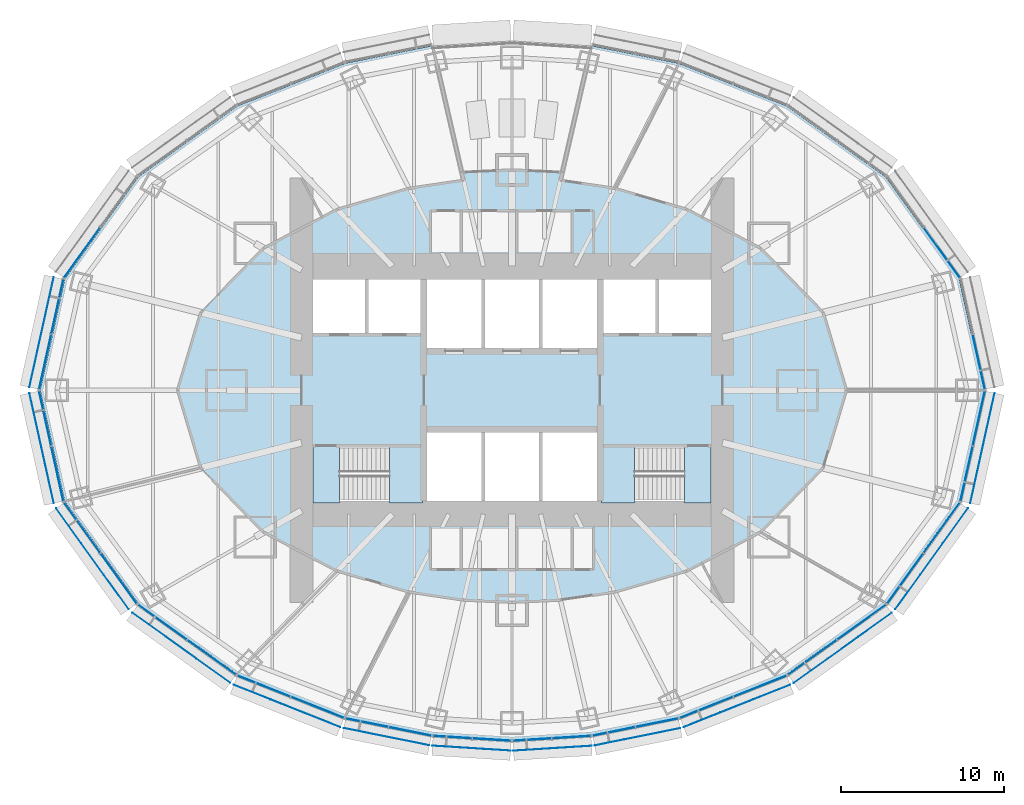
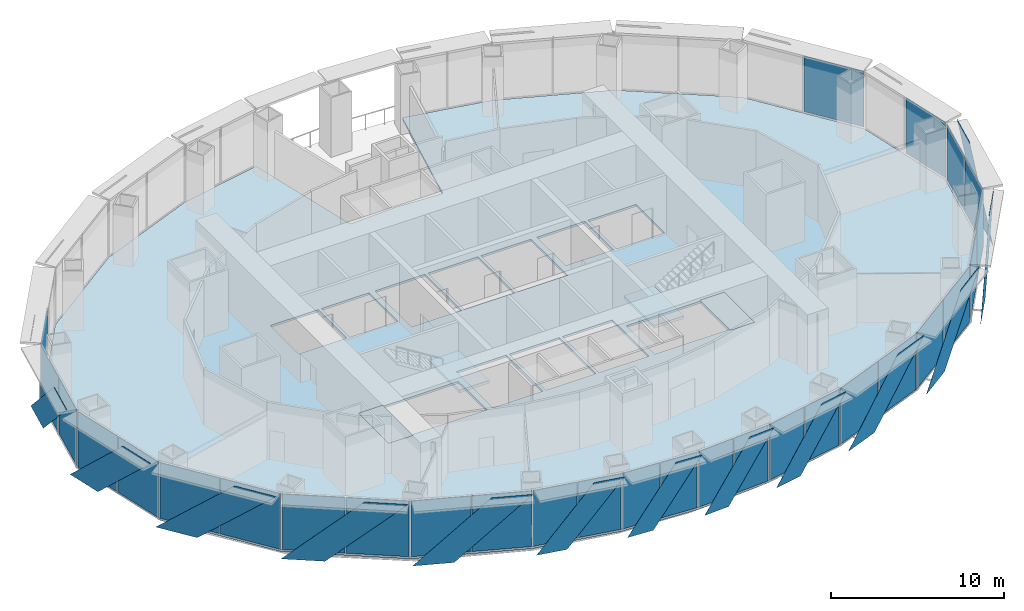
# One storey, part 9 of 17: 42 plates, 5 slabs, 18 elements without a shape of their own.
"""IFC4 building model written with IfcOpenShell, lengths in metres."""

import ifcopenshell
import ifcopenshell.guid

model = None  # the IFC model being written
_history = None  # IfcOwnerHistory: only IFC2X3 demands one
_inside = {}  # id of a spatial element -> (the spatial element, [elements in it])
_under = {}  # id of a project, library or spatial element -> (it, [spatial elements below it])
_declared = {}  # id of a project -> (the project, [libraries it declares])
_typed = {}  # id of a type object -> (the type object, [elements of that type])
_made_of = {}  # id of a material, layer set ... -> (it, [elements and type objects made of it])


def new_model(schema):
    """Start an empty IFC model of exactly this schema.

    Asked for "IFC4X3", IfcOpenShell would pick the latest addendum, in which some entities
    have other attributes; the version numbers below select the first issue.
    IFC2X3 requires an IfcOwnerHistory on every rooted entity: one is made here for all.
    """
    global model, _history
    if schema == "IFC4X3":
        model = ifcopenshell.file(schema_version=(4, 3, 0, 0))
    else:
        model = ifcopenshell.file(schema=schema)
    _inside.clear()
    _under.clear()
    _declared.clear()
    _typed.clear()
    _made_of.clear()
    _history = None
    if model.schema == "IFC2X3":
        org = make("IfcOrganization", Name="unknown")
        user = make(
            "IfcPersonAndOrganization",
            ThePerson=make("IfcPerson", FamilyName="unknown"),
            TheOrganization=org,
        )
        app = make(
            "IfcApplication",
            ApplicationDeveloper=org,
            Version="unknown",
            ApplicationFullName="unknown",
            ApplicationIdentifier="unknown",
        )
        _history = make(
            "IfcOwnerHistory",
            OwningUser=user,
            OwningApplication=app,
            ChangeAction="ADDED",
            CreationDate=0,
        )
    return model


def make(cls, **values):
    """One entity of the class cls with the attributes given. An attribute that is None is left unset."""
    return model.create_entity(
        cls, **{name: value for name, value in values.items() if value is not None}
    )


def rooted(cls, **values):
    """An entity with a GlobalId (a new one), such as an element, a storey or a relation."""
    return make(cls, GlobalId=ifcopenshell.guid.new(), OwnerHistory=_history, **values)


def si_unit(unit_type, name, prefix=None):
    """IfcSIUnit, for example si_unit("LENGTHUNIT", "METRE", prefix="MILLI")."""
    return make("IfcSIUnit", UnitType=unit_type, Prefix=prefix, Name=name)


def assignment(units):
    """IfcUnitAssignment: the units of a project."""
    return None if units is None else make("IfcUnitAssignment", Units=units)


def point(xyz):
    """IfcCartesianPoint."""
    return None if xyz is None else make("IfcCartesianPoint", Coordinates=xyz)


def direction(xyz):
    """IfcDirection."""
    return None if xyz is None else make("IfcDirection", DirectionRatios=xyz)


def frame(location, z_axis=None, x_axis=None):
    """IfcAxis2Placement3D, a coordinate frame: its origin and axes. An axis left out is left unset."""
    return make(
        "IfcAxis2Placement3D",
        Location=point(location),
        Axis=direction(z_axis),
        RefDirection=direction(x_axis),
    )


def frame_2d(location, x_axis=None):
    """IfcAxis2Placement2D, a coordinate frame in the plane: its origin and x axis."""
    return make(
        "IfcAxis2Placement2D", Location=point(location), RefDirection=direction(x_axis)
    )


def origin():
    """The frame at (0, 0, 0) with its axes left unset."""
    return frame((0.0, 0.0, 0.0))


def origin_2d():
    """The frame at (0, 0) in the plane with its x axis left unset."""
    return frame_2d((0.0, 0.0))


def place(relative_to, where):
    """IfcLocalPlacement: puts the frame where relative to a parent placement (None: the world)."""
    return make(
        "IfcLocalPlacement", PlacementRelTo=relative_to, RelativePlacement=where
    )


def context(
    kind, dimensions, precision=None, world=None, true_north=None, identifier=None
):
    """IfcGeometricRepresentationContext, for example the 3D "Model" context."""
    return make(
        "IfcGeometricRepresentationContext",
        ContextIdentifier=identifier,
        ContextType=kind,
        CoordinateSpaceDimension=dimensions,
        Precision=precision,
        WorldCoordinateSystem=world,
        TrueNorth=true_north,
    )


def subcontext(parent, identifier, kind, view, scale=None):
    """IfcGeometricRepresentationSubContext, for example "Body" below "Model"."""
    return make(
        "IfcGeometricRepresentationSubContext",
        ContextIdentifier=identifier,
        ContextType=kind,
        ParentContext=parent,
        TargetScale=scale,
        TargetView=view,
    )


def project(units=None, contexts=None):
    """IfcProject with its units and contexts."""
    return rooted(
        "IfcProject",
        Name="project",
        RepresentationContexts=contexts,
        UnitsInContext=assignment(units),
    )


def spatial(cls, under=None, at=None, **own):
    """A site, building, storey or space (cls), placed at a placement, below another one or the project."""
    s = rooted(cls, ObjectPlacement=at, **own)
    if under is not None:
        _under.setdefault(under.id(), (under, []))[1].append(s)
    return s


def polyline(points):
    """IfcPolyline through the points."""
    return make("IfcPolyline", Points=[point(p) for p in points])


def profile(cls, at=None, kind="AREA", **sizes):
    """A parametric profile (cls). Its sizes go by their IFC names, for example OverallWidth=200.0."""
    return make(cls, ProfileType=kind, Position=at, **sizes)


def rectangle(**sizes):
    """IfcRectangleProfileDef."""
    return profile("IfcRectangleProfileDef", **sizes)


def outline(outer, holes=None, kind="AREA"):
    """IfcArbitraryClosedProfileDef: a profile drawn as a closed curve; with holes, ...WithVoids."""
    if holes is None:
        return make("IfcArbitraryClosedProfileDef", ProfileType=kind, OuterCurve=outer)
    return make(
        "IfcArbitraryProfileDefWithVoids",
        ProfileType=kind,
        OuterCurve=outer,
        InnerCurves=holes,
    )


def extrude(swept, where, along, depth):
    """IfcExtrudedAreaSolid: the profile swept, set in the frame where, extruded along a direction by depth."""
    return make(
        "IfcExtrudedAreaSolid",
        SweptArea=swept,
        Position=where,
        ExtrudedDirection=direction(along),
        Depth=depth,
    )


def shape(context_of_items, identifier, shape_type, items):
    """IfcShapeRepresentation: the items that make up one representation, for example the "Body"."""
    return make(
        "IfcShapeRepresentation",
        ContextOfItems=context_of_items,
        RepresentationIdentifier=identifier,
        RepresentationType=shape_type,
        Items=items,
    )


def material(Name=None, Category=None):
    """IfcMaterial."""
    return make("IfcMaterial", Name=Name, Category=Category)


def layer(
    of_material, thickness, ventilated=None, Name=None, Category=None, Priority=None
):
    """IfcMaterialLayer: one layer of a wall or slab, of a material (None: an air gap)."""
    return make(
        "IfcMaterialLayer",
        Material=of_material,
        LayerThickness=thickness,
        IsVentilated=ventilated,
        Name=Name,
        Category=Category,
        Priority=Priority,
    )


def layer_set(layers, Name=None):
    """IfcMaterialLayerSet."""
    return make("IfcMaterialLayerSet", MaterialLayers=layers, LayerSetName=Name)


def made_of(thing, what):
    """Note that an element or type object is made of a material, layer set ...; save() writes the relation."""
    if what is not None:
        _made_of.setdefault(what.id(), (what, []))[1].append(thing)
    return thing


def type_object(cls, material=None, **own):
    """A type object (cls), such as IfcWallType, which elements share."""
    return made_of(rooted(cls, **own), material)


def element(
    cls,
    number,
    at=None,
    inside=None,
    cuts=None,
    type_object=None,
    material=None,
    context=None,
    identifier="Body",
    shape_type=None,
    held_by="IfcProductDefinitionShape",
    body=None,
    shapes=None,
    **own,
):
    """One element of the class cls, such as IfcWall. Its Tag is "e" and its number.

    at: its placement. inside: the storey or other place that contains it. cuts: it is an
    opening in that element (IfcRelVoidsElement). A single representation is given by context,
    identifier, shape_type and body (its items); several are given by shapes. held_by: the class
    of the entity that holds the representations. save() writes the other relations.
    """
    e = rooted(cls, Tag="e%d" % number, ObjectPlacement=at, **own)
    if body is not None:
        shapes = [shape(context, identifier, shape_type, body)]
    if shapes is not None:
        e.Representation = make(held_by, Representations=shapes)
    if inside is not None:
        _inside.setdefault(inside.id(), (inside, []))[1].append(e)
    if cuts is not None:
        rooted(
            "IfcRelVoidsElement", RelatingBuildingElement=cuts, RelatedOpeningElement=e
        )
    if type_object is not None:
        _typed.setdefault(type_object.id(), (type_object, []))[1].append(e)
    return made_of(e, material)


def aggregate(whole, parts):
    """IfcRelAggregates: a whole, such as a stair, and the parts it consists of."""
    return rooted("IfcRelAggregates", RelatingObject=whole, RelatedObjects=parts)


def save(model, path):
    """Write the relations noted so far, then the file.

    IfcRelAggregates (storeys below a building ...), IfcRelContainedInSpatialStructure (elements
    in a storey), IfcRelDefinesByType, IfcRelAssociatesMaterial and IfcRelDeclares: one each for
    every whole, place, type object, material and project.
    """
    for whole, parts in _under.values():
        aggregate(whole, parts)
    for where, things in _inside.values():
        rooted(
            "IfcRelContainedInSpatialStructure",
            RelatedElements=things,
            RelatingStructure=where,
        )
    for kind, things in _typed.values():
        rooted("IfcRelDefinesByType", RelatedObjects=things, RelatingType=kind)
    for what, things in _made_of.values():
        rooted("IfcRelAssociatesMaterial", RelatedObjects=things, RelatingMaterial=what)
    for by, libraries in _declared.values():
        rooted("IfcRelDeclares", RelatingContext=by, RelatedDefinitions=libraries)
    model.write(path)


model = new_model("IFC4")

# Units and contexts
model_context = context("Model", 3, precision=1e-05, world=origin(), true_north=direction((0.0, 1.0)))
body_context = subcontext(model_context, "Body", "Model", "MODEL_VIEW")
ifc_project = project(units=[si_unit("LENGTHUNIT", "METRE"), si_unit("AREAUNIT", "SQUARE_METRE"), si_unit("VOLUMEUNIT", "CUBIC_METRE"), si_unit("PLANEANGLEUNIT", "RADIAN"), si_unit("MASSUNIT", "GRAM", prefix="KILO")], contexts=[model_context])

# Site, building, storey
site_placement = place(None, origin())
site = spatial("IfcSite", under=ifc_project, at=site_placement, CompositionType="ELEMENT")
building_placement = place(site_placement, origin())
building = spatial("IfcBuilding", under=site, at=building_placement, Name="Lantaw Convention Tower", CompositionType="ELEMENT")
storey_placement = place(building_placement, frame((0.0, 0.0, 151.0)))
storey = spatial("IfcBuildingStorey", under=building, at=storey_placement, Name="L35", CompositionType="ELEMENT", Elevation=151.0)

# Curtain wall, plate
ifc_material_1 = material(Name="Aluminium framed curtain wall", Category="aluminium")
curtain_wall_type = type_object("IfcCurtainWallType", Name="Office curtain wall low rise, pale aluminium", PredefinedType="USERDEFINED", material=ifc_material_1)
curtain_wall_1_placement = place(storey_placement, origin())
curtain_wall_1 = element("IfcCurtainWall", 1, at=curtain_wall_1_placement, inside=storey, type_object=curtain_wall_type, Name="Office curtain wall low rise, pale aluminium L35", ObjectType="UNITISED CURTAIN WALL", PredefinedType="USERDEFINED")
ifc_material_2 = material(Name="Clear insulating glass", Category="glass")
ifc_layer_1 = layer(ifc_material_2, 0.028076171875)
ifc_layer_set_1 = layer_set([ifc_layer_1], Name="CW-O1 panel 28")
plate_type_1 = type_object("IfcPlateType", Name="CW-O1 panel 28", PredefinedType="CURTAIN_PANEL", material=ifc_layer_set_1)
plate_1_placement = place(storey_placement, frame((28.618408203125, 1.729248046875, 0.06494140625), z_axis=(0.0, 0.0, 1.0), x_axis=(-0.215546166174, 0.9764936509, 0.0)))
plate_1 = element("IfcPlate", 2, at=plate_1_placement, type_object=plate_type_1, Name="CW-O1 panel 1.1", PredefinedType="CURTAIN_PANEL", context=body_context, shape_type="SweptSolid", body=[
    extrude(rectangle(XDim=3.41162109375, YDim=0.028076171875, at=origin_2d()), origin(), (0.0, 0.0, 1.0), 3.919921875),
])
aggregate(curtain_wall_1, [plate_1])

curtain_wall_2_placement = place(storey_placement, origin())
curtain_wall_2 = element("IfcCurtainWall", 3, at=curtain_wall_2_placement, inside=storey, type_object=curtain_wall_type, Name="Office curtain wall low rise, pale aluminium L35", ObjectType="UNITISED CURTAIN WALL", PredefinedType="USERDEFINED")
plate_2_placement = place(storey_placement, frame((26.34814453125, 8.4345703125, 0.06494140625), z_axis=(0.0, 0.0, 1.0), x_axis=(-0.584512597221, 0.811384633629, 0.0)))
plate_2 = element("IfcPlate", 4, at=plate_2_placement, type_object=plate_type_1, Name="CW-O1 panel 1.1", PredefinedType="CURTAIN_PANEL", context=body_context, shape_type="SweptSolid", body=[
    extrude(rectangle(XDim=3.767333984375, YDim=0.028076171875, at=origin_2d()), origin(), (0.0, 0.0, 1.0), 3.919921875),
])
aggregate(curtain_wall_2, [plate_2])

curtain_wall_3_placement = place(storey_placement, origin())
curtain_wall_3 = element("IfcCurtainWall", 5, at=curtain_wall_3_placement, inside=storey, type_object=curtain_wall_type, Name="Office curtain wall low rise, pale aluminium L35", ObjectType="UNITISED CURTAIN WALL", PredefinedType="USERDEFINED")
plate_3_placement = place(storey_placement, frame((-26.34814453125, 8.4345703125, 0.06494140625), z_axis=(0.0, 0.0, 1.0), x_axis=(-0.584512597221, -0.811384633629, 0.0)))
plate_3 = element("IfcPlate", 6, at=plate_3_placement, type_object=plate_type_1, Name="CW-O1 panel 2.1", PredefinedType="CURTAIN_PANEL", context=body_context, shape_type="SweptSolid", body=[
    extrude(rectangle(XDim=3.767333984375, YDim=0.028076171875, at=origin_2d()), origin(), (0.0, 0.0, 1.0), 3.919921875),
])
aggregate(curtain_wall_3, [plate_3])

# Curtain wall, plates
curtain_wall_4_placement = place(storey_placement, origin())
curtain_wall_4 = element("IfcCurtainWall", 7, at=curtain_wall_4_placement, inside=storey, type_object=curtain_wall_type, Name="Office curtain wall low rise, pale aluminium L35", ObjectType="UNITISED CURTAIN WALL", PredefinedType="USERDEFINED")
plate_4_placement = place(storey_placement, frame((-27.868896484375, 5.1240234375, 0.06494140625), z_axis=(0.0, 0.0, 1.0), x_axis=(-0.215546166174, -0.9764936509, 0.0)))
plate_4 = element("IfcPlate", 8, at=plate_4_placement, type_object=plate_type_1, Name="CW-O1 panel 1.1", PredefinedType="CURTAIN_PANEL", context=body_context, shape_type="SweptSolid", body=[
    extrude(rectangle(XDim=3.41162109375, YDim=0.028076171875, at=origin_2d()), origin(), (0.0, 0.0, 1.0), 3.919921875),
])
plate_5_placement = place(storey_placement, frame((-28.618408203125, 1.729248046875, 0.06494140625), z_axis=(0.0, 0.0, 1.0), x_axis=(-0.215546166174, -0.9764936509, 0.0)))
plate_5 = element("IfcPlate", 9, at=plate_5_placement, type_object=plate_type_1, Name="CW-O1 panel 2.1", PredefinedType="CURTAIN_PANEL", context=body_context, shape_type="SweptSolid", body=[
    extrude(rectangle(XDim=3.41162109375, YDim=0.028076171875, at=origin_2d()), origin(), (0.0, 0.0, 1.0), 3.919921875),
])
aggregate(curtain_wall_4, [plate_4, plate_5])

curtain_wall_5_placement = place(storey_placement, origin())
curtain_wall_5 = element("IfcCurtainWall", 10, at=curtain_wall_5_placement, inside=storey, type_object=curtain_wall_type, Name="Office curtain wall low rise, pale aluminium L35", ObjectType="UNITISED CURTAIN WALL", PredefinedType="USERDEFINED")
plate_6_placement = place(storey_placement, frame((-28.618408203125, -1.729248046875, 0.06494140625), z_axis=(0.0, 0.0, 1.0), x_axis=(0.215546166174, -0.9764936509, 0.0)))
plate_6 = element("IfcPlate", 11, at=plate_6_placement, type_object=plate_type_1, Name="CW-O1 panel 1.1", PredefinedType="CURTAIN_PANEL", context=body_context, shape_type="SweptSolid", body=[
    extrude(rectangle(XDim=3.41162109375, YDim=0.028076171875, at=origin_2d()), origin(), (0.0, 0.0, 1.0), 3.919921875),
])
plate_7_placement = place(storey_placement, frame((-27.868896484375, -5.1240234375, 0.06494140625), z_axis=(0.0, 0.0, 1.0), x_axis=(0.215546166174, -0.9764936509, 0.0)))
plate_7 = element("IfcPlate", 12, at=plate_7_placement, type_object=plate_type_1, Name="CW-O1 panel 2.1", PredefinedType="CURTAIN_PANEL", context=body_context, shape_type="SweptSolid", body=[
    extrude(rectangle(XDim=3.41162109375, YDim=0.028076171875, at=origin_2d()), origin(), (0.0, 0.0, 1.0), 3.919921875),
])
aggregate(curtain_wall_5, [plate_6, plate_7])

curtain_wall_6_placement = place(storey_placement, origin())
curtain_wall_6 = element("IfcCurtainWall", 13, at=curtain_wall_6_placement, inside=storey, type_object=curtain_wall_type, Name="Office curtain wall low rise, pale aluminium L35", ObjectType="UNITISED CURTAIN WALL", PredefinedType="USERDEFINED")
plate_8_placement = place(storey_placement, frame((-26.34814453125, -8.4345703125, 0.06494140625), z_axis=(0.0, 0.0, 1.0), x_axis=(0.584512597221, -0.811384633629, 0.0)))
plate_8 = element("IfcPlate", 14, at=plate_8_placement, type_object=plate_type_1, Name="CW-O1 panel 1.1", PredefinedType="CURTAIN_PANEL", context=body_context, shape_type="SweptSolid", body=[
    extrude(rectangle(XDim=3.767333984375, YDim=0.028076171875, at=origin_2d()), origin(), (0.0, 0.0, 1.0), 3.919921875),
])
plate_9_placement = place(storey_placement, frame((-24.108154296875, -11.5439453125, 0.06494140625), z_axis=(0.0, 0.0, 1.0), x_axis=(0.584512597221, -0.811384633629, 0.0)))
plate_9 = element("IfcPlate", 15, at=plate_9_placement, type_object=plate_type_1, Name="CW-O1 panel 2.1", PredefinedType="CURTAIN_PANEL", context=body_context, shape_type="SweptSolid", body=[
    extrude(rectangle(XDim=3.767333984375, YDim=0.028076171875, at=origin_2d()), origin(), (0.0, 0.0, 1.0), 3.919921875),
])
aggregate(curtain_wall_6, [plate_8, plate_9])

curtain_wall_7_placement = place(storey_placement, origin())
curtain_wall_7 = element("IfcCurtainWall", 16, at=curtain_wall_7_placement, inside=storey, type_object=curtain_wall_type, Name="Office curtain wall low rise, pale aluminium L35", ObjectType="UNITISED CURTAIN WALL", PredefinedType="USERDEFINED")
plate_10_placement = place(storey_placement, frame((-21.43408203125, -14.2236328125, 0.06494140625), z_axis=(0.0, 0.0, 1.0), x_axis=(0.813208325995, -0.581972695693, 0.0)))
plate_10 = element("IfcPlate", 17, at=plate_10_placement, type_object=plate_type_1, Name="CW-O1 panel 1.1", PredefinedType="CURTAIN_PANEL", context=body_context, shape_type="SweptSolid", body=[
    extrude(rectangle(XDim=3.645263671875, YDim=0.028076171875, at=origin_2d()), origin(), (0.0, 0.0, 1.0), 3.919921875),
])
plate_11_placement = place(storey_placement, frame((-18.416748046875, -16.383056640625, 0.06494140625), z_axis=(0.0, 0.0, 1.0), x_axis=(0.813208325995, -0.581972695693, 0.0)))
plate_11 = element("IfcPlate", 18, at=plate_11_placement, type_object=plate_type_1, Name="CW-O1 panel 2.1", PredefinedType="CURTAIN_PANEL", context=body_context, shape_type="SweptSolid", body=[
    extrude(rectangle(XDim=3.645263671875, YDim=0.028076171875, at=origin_2d()), origin(), (0.0, 0.0, 1.0), 3.919921875),
])
aggregate(curtain_wall_7, [plate_10, plate_11])

curtain_wall_8_placement = place(storey_placement, origin())
curtain_wall_8 = element("IfcCurtainWall", 19, at=curtain_wall_8_placement, inside=storey, type_object=curtain_wall_type, Name="Office curtain wall low rise, pale aluminium L35", ObjectType="UNITISED CURTAIN WALL", PredefinedType="USERDEFINED")
plate_12_placement = place(storey_placement, frame((-15.208251953125, -18.145263671875, 0.06494140625), z_axis=(0.0, 0.0, 1.0), x_axis=(0.929547687544, -0.368701907483, 0.0)))
plate_12 = element("IfcPlate", 20, at=plate_12_placement, type_object=plate_type_1, Name="CW-O1 panel 1.1", PredefinedType="CURTAIN_PANEL", context=body_context, shape_type="SweptSolid", body=[
    extrude(rectangle(XDim=3.470703125, YDim=0.028076171875, at=origin_2d()), origin(), (0.0, 0.0, 1.0), 3.919921875),
])
plate_13_placement = place(storey_placement, frame((-11.921630859375, -19.448974609375, 0.06494140625), z_axis=(0.0, 0.0, 1.0), x_axis=(0.929547687544, -0.368701907483, 0.0)))
plate_13 = element("IfcPlate", 21, at=plate_13_placement, type_object=plate_type_1, Name="CW-O1 panel 2.1", PredefinedType="CURTAIN_PANEL", context=body_context, shape_type="SweptSolid", body=[
    extrude(rectangle(XDim=3.470703125, YDim=0.028076171875, at=origin_2d()), origin(), (0.0, 0.0, 1.0), 3.919921875),
])
aggregate(curtain_wall_8, [plate_12, plate_13])

curtain_wall_9_placement = place(storey_placement, origin())
curtain_wall_9 = element("IfcCurtainWall", 22, at=curtain_wall_9_placement, inside=storey, type_object=curtain_wall_type, Name="Office curtain wall low rise, pale aluminium L35", ObjectType="UNITISED CURTAIN WALL", PredefinedType="USERDEFINED")
plate_14_placement = place(storey_placement, frame((-8.893310546875, -20.3857421875, 0.06494140625), z_axis=(0.0, 0.0, 1.0), x_axis=(0.980301514912, -0.197506809659, 0.0)))
plate_14 = element("IfcPlate", 23, at=plate_14_placement, type_object=plate_type_1, Name="CW-O1 panel 1.1", PredefinedType="CURTAIN_PANEL", context=body_context, shape_type="SweptSolid", body=[
    extrude(rectangle(XDim=2.634033203125, YDim=0.028076171875, at=origin_2d()), origin(), (0.0, 0.0, 1.0), 3.919921875),
])
plate_15_placement = place(storey_placement, frame((-6.247314453125, -20.9189453125, 0.06494140625), z_axis=(0.0, 0.0, 1.0), x_axis=(0.980301514912, -0.197506809659, 0.0)))
plate_15 = element("IfcPlate", 24, at=plate_15_placement, type_object=plate_type_1, Name="CW-O1 panel 2.1", PredefinedType="CURTAIN_PANEL", context=body_context, shape_type="SweptSolid", body=[
    extrude(rectangle(XDim=2.634033203125, YDim=0.028076171875, at=origin_2d()), origin(), (0.0, 0.0, 1.0), 3.919921875),
])
aggregate(curtain_wall_9, [plate_14, plate_15])

curtain_wall_10_placement = place(storey_placement, origin())
curtain_wall_10 = element("IfcCurtainWall", 25, at=curtain_wall_10_placement, inside=storey, type_object=curtain_wall_type, Name="Office curtain wall low rise, pale aluminium L35", ObjectType="UNITISED CURTAIN WALL", PredefinedType="USERDEFINED")
plate_16_placement = place(storey_placement, frame((-3.653076171875, -21.269775390625, 0.06494140625), z_axis=(0.0, 0.0, 1.0), x_axis=(0.998022035978, -0.062865059466, 0.0)))
plate_16 = element("IfcPlate", 26, at=plate_16_placement, type_object=plate_type_1, Name="CW-O1 panel 1.1", PredefinedType="CURTAIN_PANEL", context=body_context, shape_type="SweptSolid", body=[
    extrude(rectangle(XDim=2.353515625, YDim=0.028076171875, at=origin_2d()), origin(), (0.0, 0.0, 1.0), 3.919921875),
])
plate_17_placement = place(storey_placement, frame((-1.2392578125, -21.421875, 0.06494140625), z_axis=(0.0, 0.0, 1.0), x_axis=(0.998022035978, -0.062865059466, 0.0)))
plate_17 = element("IfcPlate", 27, at=plate_17_placement, type_object=plate_type_1, Name="CW-O1 panel 2.1", PredefinedType="CURTAIN_PANEL", context=body_context, shape_type="SweptSolid", body=[
    extrude(rectangle(XDim=2.353515625, YDim=0.028076171875, at=origin_2d()), origin(), (0.0, 0.0, 1.0), 3.919921875),
])
aggregate(curtain_wall_10, [plate_16, plate_17])

curtain_wall_11_placement = place(storey_placement, origin())
curtain_wall_11 = element("IfcCurtainWall", 28, at=curtain_wall_11_placement, inside=storey, type_object=curtain_wall_type, Name="Office curtain wall low rise, pale aluminium L35", ObjectType="UNITISED CURTAIN WALL", PredefinedType="USERDEFINED")
plate_18_placement = place(storey_placement, frame((1.2392578125, -21.421875, 0.06494140625), z_axis=(0.0, 0.0, 1.0), x_axis=(0.998022035978, 0.062865059466, 0.0)))
plate_18 = element("IfcPlate", 29, at=plate_18_placement, type_object=plate_type_1, Name="CW-O1 panel 1.1", PredefinedType="CURTAIN_PANEL", context=body_context, shape_type="SweptSolid", body=[
    extrude(rectangle(XDim=2.353515625, YDim=0.028076171875, at=origin_2d()), origin(), (0.0, 0.0, 1.0), 3.919921875),
])
plate_19_placement = place(storey_placement, frame((3.653076171875, -21.269775390625, 0.06494140625), z_axis=(0.0, 0.0, 1.0), x_axis=(0.998022035978, 0.062865059466, 0.0)))
plate_19 = element("IfcPlate", 30, at=plate_19_placement, type_object=plate_type_1, Name="CW-O1 panel 2.1", PredefinedType="CURTAIN_PANEL", context=body_context, shape_type="SweptSolid", body=[
    extrude(rectangle(XDim=2.353515625, YDim=0.028076171875, at=origin_2d()), origin(), (0.0, 0.0, 1.0), 3.919921875),
])
aggregate(curtain_wall_11, [plate_18, plate_19])

curtain_wall_12_placement = place(storey_placement, origin())
curtain_wall_12 = element("IfcCurtainWall", 31, at=curtain_wall_12_placement, inside=storey, type_object=curtain_wall_type, Name="Office curtain wall low rise, pale aluminium L35", ObjectType="UNITISED CURTAIN WALL", PredefinedType="USERDEFINED")
plate_20_placement = place(storey_placement, frame((6.247314453125, -20.9189453125, 0.06494140625), z_axis=(0.0, 0.0, 1.0), x_axis=(0.980301514912, 0.197506809659, 0.0)))
plate_20 = element("IfcPlate", 32, at=plate_20_placement, type_object=plate_type_1, Name="CW-O1 panel 1.1", PredefinedType="CURTAIN_PANEL", context=body_context, shape_type="SweptSolid", body=[
    extrude(rectangle(XDim=2.634033203125, YDim=0.028076171875, at=origin_2d()), origin(), (0.0, 0.0, 1.0), 3.919921875),
])
plate_21_placement = place(storey_placement, frame((8.893310546875, -20.3857421875, 0.06494140625), z_axis=(0.0, 0.0, 1.0), x_axis=(0.980301514912, 0.197506809659, 0.0)))
plate_21 = element("IfcPlate", 33, at=plate_21_placement, type_object=plate_type_1, Name="CW-O1 panel 2.1", PredefinedType="CURTAIN_PANEL", context=body_context, shape_type="SweptSolid", body=[
    extrude(rectangle(XDim=2.634033203125, YDim=0.028076171875, at=origin_2d()), origin(), (0.0, 0.0, 1.0), 3.919921875),
])
aggregate(curtain_wall_12, [plate_20, plate_21])

curtain_wall_13_placement = place(storey_placement, origin())
curtain_wall_13 = element("IfcCurtainWall", 34, at=curtain_wall_13_placement, inside=storey, type_object=curtain_wall_type, Name="Office curtain wall low rise, pale aluminium L35", ObjectType="UNITISED CURTAIN WALL", PredefinedType="USERDEFINED")
plate_22_placement = place(storey_placement, frame((11.921630859375, -19.448974609375, 0.06494140625), z_axis=(0.0, 0.0, 1.0), x_axis=(0.929547687544, 0.368701907483, 0.0)))
plate_22 = element("IfcPlate", 35, at=plate_22_placement, type_object=plate_type_1, Name="CW-O1 panel 1.1", PredefinedType="CURTAIN_PANEL", context=body_context, shape_type="SweptSolid", body=[
    extrude(rectangle(XDim=3.470703125, YDim=0.028076171875, at=origin_2d()), origin(), (0.0, 0.0, 1.0), 3.919921875),
])
plate_23_placement = place(storey_placement, frame((15.208251953125, -18.145263671875, 0.06494140625), z_axis=(0.0, 0.0, 1.0), x_axis=(0.929547687544, 0.368701907483, 0.0)))
plate_23 = element("IfcPlate", 36, at=plate_23_placement, type_object=plate_type_1, Name="CW-O1 panel 2.1", PredefinedType="CURTAIN_PANEL", context=body_context, shape_type="SweptSolid", body=[
    extrude(rectangle(XDim=3.470703125, YDim=0.028076171875, at=origin_2d()), origin(), (0.0, 0.0, 1.0), 3.919921875),
])
aggregate(curtain_wall_13, [plate_22, plate_23])

curtain_wall_14_placement = place(storey_placement, origin())
curtain_wall_14 = element("IfcCurtainWall", 37, at=curtain_wall_14_placement, inside=storey, type_object=curtain_wall_type, Name="Office curtain wall low rise, pale aluminium L35", ObjectType="UNITISED CURTAIN WALL", PredefinedType="USERDEFINED")
plate_24_placement = place(storey_placement, frame((18.416748046875, -16.383056640625, 0.06494140625), z_axis=(0.0, 0.0, 1.0), x_axis=(0.813208325995, 0.581972695693, 0.0)))
plate_24 = element("IfcPlate", 38, at=plate_24_placement, type_object=plate_type_1, Name="CW-O1 panel 1.1", PredefinedType="CURTAIN_PANEL", context=body_context, shape_type="SweptSolid", body=[
    extrude(rectangle(XDim=3.645263671875, YDim=0.028076171875, at=origin_2d()), origin(), (0.0, 0.0, 1.0), 3.919921875),
])
plate_25_placement = place(storey_placement, frame((21.43408203125, -14.2236328125, 0.06494140625), z_axis=(0.0, 0.0, 1.0), x_axis=(0.813208325995, 0.581972695693, 0.0)))
plate_25 = element("IfcPlate", 39, at=plate_25_placement, type_object=plate_type_1, Name="CW-O1 panel 2.1", PredefinedType="CURTAIN_PANEL", context=body_context, shape_type="SweptSolid", body=[
    extrude(rectangle(XDim=3.645263671875, YDim=0.028076171875, at=origin_2d()), origin(), (0.0, 0.0, 1.0), 3.919921875),
])
aggregate(curtain_wall_14, [plate_24, plate_25])

curtain_wall_15_placement = place(storey_placement, origin())
curtain_wall_15 = element("IfcCurtainWall", 40, at=curtain_wall_15_placement, inside=storey, type_object=curtain_wall_type, Name="Office curtain wall low rise, pale aluminium L35", ObjectType="UNITISED CURTAIN WALL", PredefinedType="USERDEFINED")
plate_26_placement = place(storey_placement, frame((24.108154296875, -11.5439453125, 0.06494140625), z_axis=(0.0, 0.0, 1.0), x_axis=(0.584512597221, 0.811384633629, 0.0)))
plate_26 = element("IfcPlate", 41, at=plate_26_placement, type_object=plate_type_1, Name="CW-O1 panel 1.1", PredefinedType="CURTAIN_PANEL", context=body_context, shape_type="SweptSolid", body=[
    extrude(rectangle(XDim=3.767333984375, YDim=0.028076171875, at=origin_2d()), origin(), (0.0, 0.0, 1.0), 3.919921875),
])
plate_27_placement = place(storey_placement, frame((26.34814453125, -8.4345703125, 0.06494140625), z_axis=(0.0, 0.0, 1.0), x_axis=(0.584512597221, 0.811384633629, 0.0)))
plate_27 = element("IfcPlate", 42, at=plate_27_placement, type_object=plate_type_1, Name="CW-O1 panel 2.1", PredefinedType="CURTAIN_PANEL", context=body_context, shape_type="SweptSolid", body=[
    extrude(rectangle(XDim=3.767333984375, YDim=0.028076171875, at=origin_2d()), origin(), (0.0, 0.0, 1.0), 3.919921875),
])
aggregate(curtain_wall_15, [plate_26, plate_27])

curtain_wall_16_placement = place(storey_placement, origin())
curtain_wall_16 = element("IfcCurtainWall", 43, at=curtain_wall_16_placement, inside=storey, type_object=curtain_wall_type, Name="Office curtain wall low rise, pale aluminium L35", ObjectType="UNITISED CURTAIN WALL", PredefinedType="USERDEFINED")
plate_28_placement = place(storey_placement, frame((27.868896484375, -5.1240234375, 0.06494140625), z_axis=(0.0, 0.0, 1.0), x_axis=(0.215546166174, 0.9764936509, 0.0)))
plate_28 = element("IfcPlate", 44, at=plate_28_placement, type_object=plate_type_1, Name="CW-O1 panel 1.1", PredefinedType="CURTAIN_PANEL", context=body_context, shape_type="SweptSolid", body=[
    extrude(rectangle(XDim=3.41162109375, YDim=0.028076171875, at=origin_2d()), origin(), (0.0, 0.0, 1.0), 3.919921875),
])
plate_29_placement = place(storey_placement, frame((28.618408203125, -1.729248046875, 0.06494140625), z_axis=(0.0, 0.0, 1.0), x_axis=(0.215546166174, 0.9764936509, 0.0)))
plate_29 = element("IfcPlate", 45, at=plate_29_placement, type_object=plate_type_1, Name="CW-O1 panel 2.1", PredefinedType="CURTAIN_PANEL", context=body_context, shape_type="SweptSolid", body=[
    extrude(rectangle(XDim=3.41162109375, YDim=0.028076171875, at=origin_2d()), origin(), (0.0, 0.0, 1.0), 3.919921875),
])
aggregate(curtain_wall_16, [plate_28, plate_29])

# Slab
ifc_material_3 = material(Name="Concrete C35/45", Category="concrete")
ifc_layer_2 = layer(ifc_material_3, 0.14990234375)
ifc_layer_set_2 = layer_set([ifc_layer_2], Name="Floor slab 150")
slab_type_1 = type_object("IfcSlabType", Name="Floor slab 150", PredefinedType="FLOOR", material=ifc_layer_set_2)
slab_1_placement = place(storey_placement, frame((0.0, 0.0, -0.14990234375)))
element("IfcSlab", 46, at=slab_1_placement, inside=storey, type_object=slab_type_1, Name="L35 floor slab", PredefinedType="FLOOR", context=body_context, shape_type="SweptSolid", body=[
    extrude(outline(polyline([(10.2265625, 20.04052734375), (4.87548828125, 21.11767578125), (3.0830078125, 13.353759765625), (0.0, 13.5), (-3.0830078125, 13.353759765625), (-4.87548828125, 21.11767578125), (-10.2265625, 20.04052734375), (-16.845458984375, 17.415283203125), (-22.915283203125, 13.0712890625), (-27.417236328125, 6.822021484375), (-28.923095703125, 0.0), (-27.417236328125, -6.822021484375), (-22.915283203125, -13.0712890625), (-16.845458984375, -17.415283203125), (-10.2265625, -20.04052734375), (-4.8828125, -21.1171875), (0.0, -21.4248046875), (4.8828125, -21.1171875), (10.2265625, -20.04052734375), (16.845458984375, -17.415283203125), (22.915283203125, -13.0712890625), (27.417236328125, -6.822021484375), (28.923095703125, 0.0), (27.417236328125, 6.822021484375), (22.915283203125, 13.0712890625), (16.845458984375, 17.415283203125), (10.2265625, 20.04052734375)]), holes=[polyline([(-5.60009765625, -3.5), (-12.199951171875, -3.5), (-12.199951171875, -6.800048828125), (-5.60009765625, -6.800048828125), (-5.60009765625, -3.5)]), polyline([(-1.86669921875, -6.800048828125), (-1.86669921875, -2.60009765625), (-5.199951171875, -2.60009765625), (-5.199951171875, -6.800048828125), (-1.86669921875, -6.800048828125)]), polyline([(-1.86669921875, 2.60009765625), (-1.86669921875, 6.800048828125), (-5.199951171875, 6.800048828125), (-5.199951171875, 2.60009765625), (-1.86669921875, 2.60009765625)]), polyline([(1.666748046875, 6.800048828125), (-1.666748046875, 6.800048828125), (-1.666748046875, 2.60009765625), (1.666748046875, 2.60009765625), (1.666748046875, 6.800048828125)]), polyline([(-9.0, 3.5), (-9.0, 6.800048828125), (-12.199951171875, 6.800048828125), (-12.199951171875, 3.5), (-9.0, 3.5)]), polyline([(-5.60009765625, 3.5), (-5.60009765625, 6.800048828125), (-8.800048828125, 6.800048828125), (-8.800048828125, 3.5), (-5.60009765625, 3.5)]), polyline([(12.199951171875, -3.5), (5.60009765625, -3.5), (5.60009765625, -6.800048828125), (12.199951171875, -6.800048828125), (12.199951171875, -3.5)]), polyline([(1.666748046875, -6.800048828125), (1.666748046875, -2.60009765625), (-1.666748046875, -2.60009765625), (-1.666748046875, -6.800048828125), (1.666748046875, -6.800048828125)]), polyline([(5.199951171875, -6.800048828125), (5.199951171875, -2.60009765625), (1.86669921875, -2.60009765625), (1.86669921875, -6.800048828125), (5.199951171875, -6.800048828125)]), polyline([(5.199951171875, 6.800048828125), (1.86669921875, 6.800048828125), (1.86669921875, 2.60009765625), (5.199951171875, 2.60009765625), (5.199951171875, 6.800048828125)]), polyline([(8.800048828125, 3.5), (8.800048828125, 6.800048828125), (5.60009765625, 6.800048828125), (5.60009765625, 3.5), (8.800048828125, 3.5)]), polyline([(12.199951171875, 3.5), (12.199951171875, 6.800048828125), (9.0, 6.800048828125), (9.0, 3.5), (12.199951171875, 3.5)])]), origin(), (0.0, 0.0, 1.0), 0.14990234375),
])

# Plates
ifc_material_4 = material(Name="Perforated aluminium sheet, pale silver finish", Category="aluminium")
ifc_layer_3 = layer(ifc_material_4, 0.006103515625)
ifc_layer_set_3 = layer_set([ifc_layer_3], Name="Perforated aluminium solar SCREEN panel")
plate_type_2 = type_object("IfcPlateType", Name="Perforated aluminium solar SCREEN panel", PredefinedType="SHEET", material=ifc_layer_set_3)
plate_30_placement = place(storey_placement, frame((-28.08984375, 6.93505859375, -0.175048828125), z_axis=(0.976497812463, -0.215527309509, 3.332717e-05), x_axis=(-0.215527309629, -0.976497813005, -1.665e-09)))
element("IfcPlate", 47, at=plate_30_placement, inside=storey, type_object=plate_type_2, Name="Solar SCREEN panel", PredefinedType="SHEET", context=body_context, shape_type="SweptSolid", body=[
    extrude(outline(polyline([(0.0, 0.0), (2.386131748388921, 0.0), (6.918240176095255, -4.340087904553372), (4.532055808734257, -4.3400878966079945), (0.0, 0.0)])), origin(), (0.0, 0.0, -1.0), 0.006103515625),
])
plate_31_placement = place(storey_placement, frame((-29.5810546875, -0.179443359375, -0.175048828125), z_axis=(-0.976497812463, -0.215527309509, 3.332717e-05), x_axis=(0.215527309629, -0.976497813005, 1.665e-09)))
element("IfcPlate", 48, at=plate_31_placement, inside=storey, type_object=plate_type_2, Name="Solar SCREEN panel", PredefinedType="SHEET", context=body_context, shape_type="SweptSolid", body=[
    extrude(outline(polyline([(0.0, 0.0), (2.3861843673609986, 3.3881317890172014e-21), (6.918240190546627, 4.340087881517419), (4.532108442157707, 4.340087889462621), (0.0, 0.0)])), origin(), (0.0, 0.0, -1.0), 0.006103515625),
])
plate_32_placement = place(storey_placement, frame((-27.94970703125, -7.248046875, -0.175048828125), z_axis=(-0.81139512159, -0.584498037099, 3.5886784e-05), x_axis=(0.584498037475, -0.811395122112, -9.74e-10)))
element("IfcPlate", 49, at=plate_32_placement, inside=storey, type_object=plate_type_2, Name="Solar SCREEN panel", PredefinedType="SHEET", context=body_context, shape_type="SweptSolid", body=[
    extrude(outline(polyline([(0.0, 0.0), (2.628222178575422, -6.776263578034403e-21), (7.629778257969264, 4.340087900852944), (5.001754173906077, 4.340087895732103), (0.0, 0.0)])), origin(), (0.0, 0.0, -1.0), 0.006103515625),
])
plate_33_placement = place(storey_placement, frame((-23.281005859375, -13.64697265625, -0.175048828125), z_axis=(-0.582000183937, -0.813188653244, 1.1537145e-05), x_axis=(0.813188653298, -0.582000183975, 0.0)))
element("IfcPlate", 50, at=plate_33_placement, inside=storey, type_object=plate_type_2, Name="Solar SCREEN panel", PredefinedType="SHEET", context=body_context, shape_type="SweptSolid", body=[
    extrude(outline(polyline([(0.0, 0.0), (2.5450183911586484, 0.0), (7.385531276904658, 4.340087890913846), (4.840512885746009, 4.340087890913846), (0.0, 0.0)])), origin(), (0.0, 0.0, -1.0), 0.006103515625),
])
plate_34_placement = place(storey_placement, frame((-17.05859375, -18.063232421875, -0.175048828125), z_axis=(0.368708915367, 0.929544907797, 1.086705e-05), x_axis=(0.929544907851, -0.368708915389, 7.1e-10)))
element("IfcPlate", 51, at=plate_34_placement, inside=storey, type_object=plate_type_2, Name="Solar SCREEN panel", PredefinedType="SHEET", context=body_context, shape_type="SweptSolid", body=[
    extrude(outline(polyline([(0.0, 0.0), (2.4263803793049097, -1.6940658945086007e-21), (7.036549629566982, -4.340087885886879), (4.61003232741235, -4.340087889331358), (0.0, 0.0)])), origin(), (0.0, 0.0, -1.0), 0.006103515625),
])
plate_35_placement = place(storey_placement, frame((-10.318603515625, -20.716796875, -0.175048828125), z_axis=(-0.197556725442, -0.980291455983, 3.9483498e-05), x_axis=(0.980291456747, -0.197556725596, 0.0)))
element("IfcPlate", 52, at=plate_35_placement, inside=storey, type_object=plate_type_2, Name="Solar SCREEN panel", PredefinedType="SHEET", context=body_context, shape_type="SweptSolid", body=[
    extrude(outline(polyline([(0.0, 0.0), (1.8574075788555457, 3.3881317890172014e-21), (5.362987026845185, 4.340087894007983), (3.505579447989639, 4.340087894007983), (0.0, 0.0)])), origin(), (0.0, 0.0, -1.0), 0.006103515625),
])
plate_36_placement = place(storey_placement, frame((-4.880615234375, -21.7998046875, -0.175048828125), z_axis=(-0.062838799866, -0.998023689713, 1.755059e-06), x_axis=(0.998023689715, -0.062838799866, -8e-12)))
element("IfcPlate", 53, at=plate_36_placement, inside=storey, type_object=plate_type_2, Name="Solar SCREEN panel", PredefinedType="SHEET", context=body_context, shape_type="SweptSolid", body=[
    extrude(outline(polyline([(0.0, 0.0), (1.6666243269452135, 2.6469779601696886e-23), (4.802214797186689, 4.340087890670476), (3.135346812114104, 4.340087890643548), (0.0, 0.0)])), origin(), (0.0, 0.0, -1.0), 0.006103515625),
])
plate_37_placement = place(storey_placement, frame((0.087890625, -22.1015625, -0.175048828125), z_axis=(-0.062838799866, 0.998023689713, 1.755059e-06), x_axis=(0.998023689715, 0.062838799866, 8e-12)))
element("IfcPlate", 54, at=plate_37_placement, inside=storey, type_object=plate_type_2, Name="Solar SCREEN panel", PredefinedType="SHEET", context=body_context, shape_type="SweptSolid", body=[
    extrude(outline(polyline([(0.0, 0.0), (1.6668679850725854, -5.293955920339377e-23), (4.802214797256801, -4.340087890592899), (3.1355904703115876, -4.340087890619822), (0.0, 0.0)])), origin(), (0.0, 0.0, -1.0), 0.006103515625),
])
plate_38_placement = place(storey_placement, frame((5.061279296875, -21.776123046875, -0.175048828125), z_axis=(-0.197556725442, 0.980291455983, 3.9483498e-05), x_axis=(0.980291456747, 0.197556725596, 0.0)))
element("IfcPlate", 55, at=plate_38_placement, inside=storey, type_object=plate_type_2, Name="Solar SCREEN panel", PredefinedType="SHEET", context=body_context, shape_type="SweptSolid", body=[
    extrude(outline(polyline([(0.0, 0.0), (1.8574075788555457, -3.3881317890172014e-21), (5.362987026845185, -4.340087894007983), (3.505579447989639, -4.340087894007983), (0.0, 0.0)])), origin(), (0.0, 0.0, -1.0), 0.006103515625),
])
plate_39_placement = place(storey_placement, frame((10.517822265625, -20.65771484375, -0.175048828125), z_axis=(0.368708915367, -0.929544907797, 1.086705e-05), x_axis=(0.929544907851, 0.368708915389, -7.1e-10)))
element("IfcPlate", 56, at=plate_39_placement, inside=storey, type_object=plate_type_2, Name="Solar SCREEN panel", PredefinedType="SHEET", context=body_context, shape_type="SweptSolid", body=[
    extrude(outline(polyline([(0.0, 0.0), (2.426517302154632, -1.6940658945086007e-21), (7.036549623406159, 4.340087895875372), (4.610169244101249, 4.340087892431086), (0.0, 0.0)])), origin(), (0.0, 0.0, -1.0), 0.006103515625),
])
plate_40_placement = place(storey_placement, frame((17.275146484375, -17.9453125, -0.175048828125), z_axis=(-0.582000183937, 0.813188653244, 1.1537145e-05), x_axis=(0.813188653298, 0.582000183975, 0.0)))
element("IfcPlate", 57, at=plate_40_placement, inside=storey, type_object=plate_type_2, Name="Solar SCREEN panel", PredefinedType="SHEET", context=body_context, shape_type="SweptSolid", body=[
    extrude(outline(polyline([(0.0, 0.0), (2.5450183911586484, 0.0), (7.385531276904658, -4.340087890913846), (4.840512885746009, -4.340087890913846), (0.0, 0.0)])), origin(), (0.0, 0.0, -1.0), 0.006103515625),
])
plate_41_placement = place(storey_placement, frame((23.489990234375, -13.438720703125, -0.175048828125), z_axis=(-0.81139512159, 0.584498037099, 3.5886784e-05), x_axis=(0.584498037475, 0.811395122112, 9.74e-10)))
element("IfcPlate", 58, at=plate_41_placement, inside=storey, type_object=plate_type_2, Name="Solar SCREEN panel", PredefinedType="SHEET", context=body_context, shape_type="SweptSolid", body=[
    extrude(outline(polyline([(0.0, 0.0), (2.6280240840631874, -6.776263578034403e-21), (7.6297782664261495, -4.340087885985926), (5.0015560878507275, -4.340087891107152), (0.0, 0.0)])), origin(), (0.0, 0.0, -1.0), 0.006103515625),
])
plate_42_placement = place(storey_placement, frame((28.08984375, -6.93505859375, -0.175048828125), z_axis=(-0.976497812463, 0.215527309509, 3.332717e-05), x_axis=(0.215527309629, 0.976497813005, -1.665e-09)))
element("IfcPlate", 59, at=plate_42_placement, inside=storey, type_object=plate_type_2, Name="Solar SCREEN panel", PredefinedType="SHEET", context=body_context, shape_type="SweptSolid", body=[
    extrude(outline(polyline([(0.0, 0.0), (2.386131748388921, 0.0), (6.918240176095255, -4.340087904553372), (4.532055808734257, -4.3400878966079945), (0.0, 0.0)])), origin(), (0.0, 0.0, -1.0), 0.006103515625),
])

# Stair, slabs
stair_type = type_object("IfcStairType", Name="Exit stair 1500 riser 175 in 2 flights", PredefinedType="HALF_TURN_STAIR", material=ifc_material_3)
stair_1_placement = place(storey_placement, origin())
stair_1 = element("IfcStair", 60, at=stair_1_placement, inside=storey, type_object=stair_type, Name="Exit stair S1 L35", PredefinedType="HALF_TURN_STAIR")
ifc_layer_4 = layer(ifc_material_3, 0.199951171875)
ifc_layer_set_4 = layer_set([ifc_layer_4], Name="Stair landing 200")
slab_type_2 = type_object("IfcSlabType", Name="Stair landing 200", PredefinedType="LANDING", material=ifc_layer_set_4)
slab_2_placement = place(storey_placement, frame((0.0, 0.0, -0.199951171875)))
slab_2 = element("IfcSlab", 61, at=slab_2_placement, type_object=slab_type_2, Name="S1 landing 1", PredefinedType="LANDING", context=body_context, shape_type="SweptSolid", body=[
    extrude(outline(polyline([(-12.199951171875, -6.89990234375), (-10.580078125, -6.89990234375), (-10.580078125, -3.39990234375), (-12.199951171875, -3.39990234375), (-12.199951171875, -6.89990234375)])), origin(), (0.0, 0.0, 1.0), 0.199951171875),
])
slab_3_placement = place(storey_placement, frame((0.0, 0.0, 1.89990234375)))
slab_3 = element("IfcSlab", 62, at=slab_3_placement, type_object=slab_type_2, Name="S1 landing 2", PredefinedType="LANDING", context=body_context, shape_type="SweptSolid", body=[
    extrude(outline(polyline([(-7.5, -6.89990234375), (-5.5, -6.89990234375), (-5.5, -3.39990234375), (-7.5, -3.39990234375), (-7.5, -6.89990234375)])), origin(), (0.0, 0.0, 1.0), 0.2001953125),
])
aggregate(stair_1, [slab_2, slab_3])

stair_2_placement = place(storey_placement, origin())
stair_2 = element("IfcStair", 63, at=stair_2_placement, inside=storey, type_object=stair_type, Name="Exit stair S2 L35", PredefinedType="HALF_TURN_STAIR")
slab_4_placement = place(storey_placement, frame((0.0, 0.0, -0.199951171875)))
slab_4 = element("IfcSlab", 64, at=slab_4_placement, type_object=slab_type_2, Name="S2 landing 1", PredefinedType="LANDING", context=body_context, shape_type="SweptSolid", body=[
    extrude(outline(polyline([(10.580078125, -6.89990234375), (12.199951171875, -6.89990234375), (12.199951171875, -3.39990234375), (10.580078125, -3.39990234375), (10.580078125, -6.89990234375)])), origin(), (0.0, 0.0, 1.0), 0.199951171875),
])
slab_5_placement = place(storey_placement, frame((0.0, 0.0, 1.89990234375)))
slab_5 = element("IfcSlab", 65, at=slab_5_placement, type_object=slab_type_2, Name="S2 landing 2", PredefinedType="LANDING", context=body_context, shape_type="SweptSolid", body=[
    extrude(outline(polyline([(5.5, -6.89990234375), (7.5, -6.89990234375), (7.5, -3.39990234375), (5.5, -3.39990234375), (5.5, -6.89990234375)])), origin(), (0.0, 0.0, 1.0), 0.2001953125),
])
aggregate(stair_2, [slab_4, slab_5])

save(model, "model.ifc")
